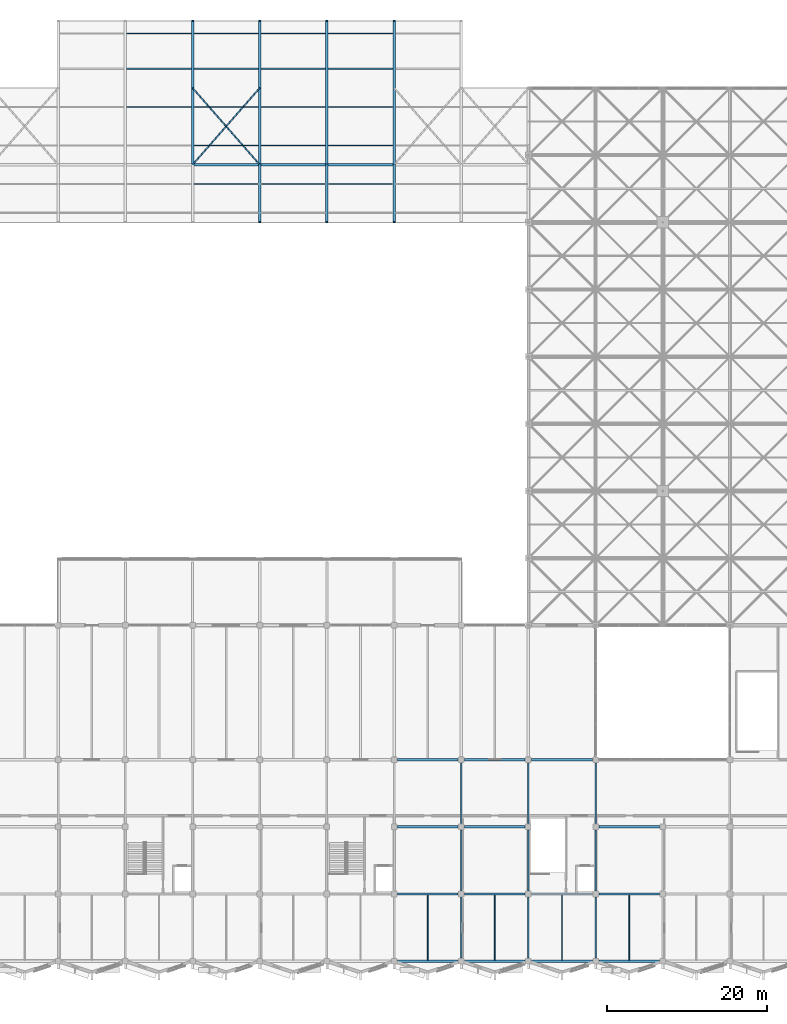
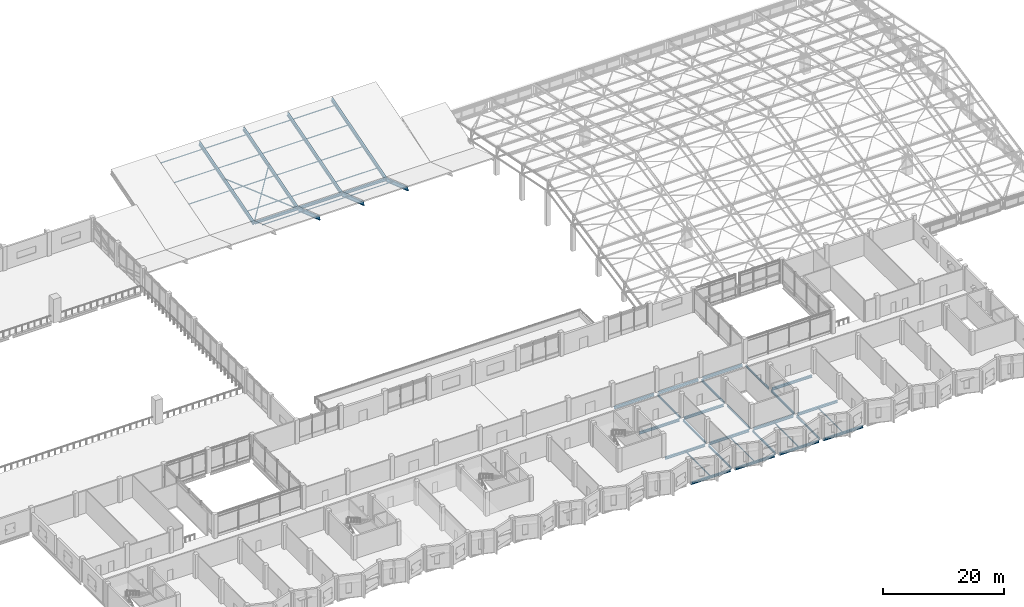
# One storey, part 17 of 110: 37 beams, 20 members.
"""IFC4 building model written with IfcOpenShell, lengths in metres."""

from ifc_helpers import new_model, si_unit, direction, frame, origin, origin_2d, place, context, subcontext, project, spatial, hollow_rectangle, i_section, extrude, material, material_profile, profile_set, type_object, element, save


model = new_model("IFC4")

# Units and contexts
model_context = context("Model", 3, precision=1e-05, world=origin(), true_north=direction((0.0, 1.0)))
body_context = subcontext(model_context, "Body", "Model", "MODEL_VIEW")
ifc_project = project(units=[si_unit("LENGTHUNIT", "METRE"), si_unit("AREAUNIT", "SQUARE_METRE"), si_unit("VOLUMEUNIT", "CUBIC_METRE"), si_unit("PLANEANGLEUNIT", "RADIAN"), si_unit("MASSUNIT", "GRAM", prefix="KILO")], contexts=[model_context])

# Site, building, storey
site_placement = place(None, origin())
site = spatial("IfcSite", under=ifc_project, at=site_placement, CompositionType="ELEMENT")
building_placement = place(site_placement, origin())
building = spatial("IfcBuilding", under=site, at=building_placement, Name="Qawsi Khor Wholesale Market", CompositionType="ELEMENT")
storey_placement = place(building_placement, frame((0.0, 0.0, 11.39990234375)))
storey = spatial("IfcBuildingStorey", under=building, at=storey_placement, Name="L02", CompositionType="ELEMENT", Elevation=11.39990234375)

# Members
ifc_material = material(Name="Steel S355", Category="steel")
ifc_material_profile_1 = material_profile(ifc_material, hollow_rectangle(XDim=0.179931640625, YDim=0.179931640625, WallThickness=0.010009765625, InnerFilletRadius=0.010009765625, OuterFilletRadius=0.02001953125, at=origin_2d()), Name="SHS 180x180x10.0")
ifc_profile_set_1 = profile_set([ifc_material_profile_1], Name="Steel S355")
member_type_1 = type_object("IfcMemberType", Name="Auction Roof Brace SHS 180x180x10.0", PredefinedType="BRACE", material=ifc_profile_set_1)
for number, where, z_axis, x_axis, name in (
    (1, (100.800048828125, 99.60009765625, 0.35009765625), (0.638715391749, 0.729957795703, 0.243319265234), (-0.752575509087, 0.658505962861, 0.0), "Auction roof brace 2A"),
    (2, (109.199951171875, 99.60009765625, 0.35009765625), (-0.638715391749, 0.729957795703, 0.243319265234), (-0.752575509087, -0.658505962861, 0.0), "Auction roof brace 2B"),
):
    element("IfcMember", number, at=place(storey_placement, frame(where, z_axis=z_axis, x_axis=x_axis)), inside=storey, type_object=member_type_1, Name=name, PredefinedType="BRACE", context=body_context, shape_type="SweptSolid", body=[
        extrude(hollow_rectangle(XDim=0.179931640625, YDim=0.179931640625, WallThickness=0.010009765625, InnerFilletRadius=0.010009765625, OuterFilletRadius=0.02001953125, at=origin_2d()), origin(), (0.0, 0.0, 1.0), 13.151123046875),
    ])
ifc_material_profile_2 = material_profile(ifc_material, hollow_rectangle(XDim=0.14990234375, YDim=0.14990234375, WallThickness=0.008056640625, InnerFilletRadius=0.008056640625, OuterFilletRadius=0.01611328125, at=origin_2d()), Name="SHS 150x150x8.0")
ifc_profile_set_2 = profile_set([ifc_material_profile_2], Name="Steel S355")
member_type_2 = type_object("IfcMemberType", Name="Auction Shed Purlin SHS 150x150x8.0", PredefinedType="PURLIN", material=ifc_profile_set_2)
for number, where, z_axis, x_axis, name in (
    (3, (92.550048828125, 106.800048828125, 2.77001953125), (1.0, 0.0, 0.0), (0.0, 1.0, 0.0), "Auction Roof Purlin 12-4"),
    (4, (92.550048828125, 111.60009765625, 4.183349609375), (1.0, 0.0, 0.0), (0.0, 1.0, 0.0), "Auction Roof Purlin 12-5"),
    (5, (92.550048828125, 116.0, 5.47900390625), (1.0, 0.0, 0.0), (0.0, 1.0, 0.0), "Auction Roof Purlin 12-6"),
):
    element("IfcMember", number, at=place(storey_placement, frame(where, z_axis=z_axis, x_axis=x_axis)), inside=storey, type_object=member_type_2, Name=name, PredefinedType="PURLIN", context=body_context, shape_type="SweptSolid", body=[
        extrude(hollow_rectangle(XDim=0.14990234375, YDim=0.14990234375, WallThickness=0.008056640625, InnerFilletRadius=0.008056640625, OuterFilletRadius=0.01611328125, at=origin_2d()), origin(), (0.0, 0.0, 1.0), 8.099853515625),
    ])
member_1_placement = place(storey_placement, frame((100.9619140625, 97.199951171875, 1.4833984375), z_axis=(1.0, 0.0, 0.0), x_axis=(0.0, 1.0, 0.0)))
element("IfcMember", 6, at=member_1_placement, inside=storey, type_object=member_type_2, Name="Auction Roof Purlin 13-2", PredefinedType="PURLIN", context=body_context, shape_type="SweptSolid", body=[
    extrude(hollow_rectangle(XDim=0.14990234375, YDim=0.14990234375, WallThickness=0.008056640625, InnerFilletRadius=0.008056640625, OuterFilletRadius=0.01611328125, at=origin_2d()), origin(), (0.0, 0.0, 1.0), 8.076171875),
])
for number, where, z_axis, x_axis, name in (
    (7, (100.949951171875, 102.0, 1.356689453125), (1.0, 0.0, 0.0), (0.0, 1.0, 0.0), "Auction Roof Purlin 13-3"),
    (8, (100.949951171875, 106.800048828125, 2.77001953125), (1.0, 0.0, 0.0), (0.0, 1.0, 0.0), "Auction Roof Purlin 13-4"),
    (9, (100.949951171875, 111.60009765625, 4.183349609375), (1.0, 0.0, 0.0), (0.0, 1.0, 0.0), "Auction Roof Purlin 13-5"),
    (10, (100.949951171875, 116.0, 5.47900390625), (1.0, 0.0, 0.0), (0.0, 1.0, 0.0), "Auction Roof Purlin 13-6"),
):
    element("IfcMember", number, at=place(storey_placement, frame(where, z_axis=z_axis, x_axis=x_axis)), inside=storey, type_object=member_type_2, Name=name, PredefinedType="PURLIN", context=body_context, shape_type="SweptSolid", body=[
        extrude(hollow_rectangle(XDim=0.14990234375, YDim=0.14990234375, WallThickness=0.008056640625, InnerFilletRadius=0.008056640625, OuterFilletRadius=0.01611328125, at=origin_2d()), origin(), (0.0, 0.0, 1.0), 8.10009765625),
    ])
member_2_placement = place(storey_placement, frame((109.362060546875, 97.199951171875, 1.4833984375), z_axis=(1.0, 0.0, 0.0), x_axis=(0.0, 1.0, 0.0)))
element("IfcMember", 11, at=member_2_placement, inside=storey, type_object=member_type_2, Name="Auction Roof Purlin 14-2", PredefinedType="PURLIN", context=body_context, shape_type="SweptSolid", body=[
    extrude(hollow_rectangle(XDim=0.14990234375, YDim=0.14990234375, WallThickness=0.008056640625, InnerFilletRadius=0.008056640625, OuterFilletRadius=0.01611328125, at=origin_2d()), origin(), (0.0, 0.0, 1.0), 8.075927734375),
])
for number, where, z_axis, x_axis, name in (
    (12, (109.35009765625, 102.0, 1.356689453125), (1.0, 0.0, 0.0), (0.0, 1.0, 0.0), "Auction Roof Purlin 14-3"),
    (13, (109.35009765625, 106.800048828125, 2.77001953125), (1.0, 0.0, 0.0), (0.0, 1.0, 0.0), "Auction Roof Purlin 14-4"),
    (14, (109.35009765625, 111.60009765625, 4.183349609375), (1.0, 0.0, 0.0), (0.0, 1.0, 0.0), "Auction Roof Purlin 14-5"),
    (15, (109.35009765625, 116.0, 5.47900390625), (1.0, 0.0, 0.0), (0.0, 1.0, 0.0), "Auction Roof Purlin 14-6"),
):
    element("IfcMember", number, at=place(storey_placement, frame(where, z_axis=z_axis, x_axis=x_axis)), inside=storey, type_object=member_type_2, Name=name, PredefinedType="PURLIN", context=body_context, shape_type="SweptSolid", body=[
        extrude(hollow_rectangle(XDim=0.14990234375, YDim=0.14990234375, WallThickness=0.008056640625, InnerFilletRadius=0.008056640625, OuterFilletRadius=0.01611328125, at=origin_2d()), origin(), (0.0, 0.0, 1.0), 8.099853515625),
    ])
member_3_placement = place(storey_placement, frame((117.761962890625, 97.199951171875, 1.4833984375), z_axis=(1.0, 0.0, 0.0), x_axis=(0.0, 1.0, 0.0)))
element("IfcMember", 16, at=member_3_placement, inside=storey, type_object=member_type_2, Name="Auction Roof Purlin 15-2", PredefinedType="PURLIN", context=body_context, shape_type="SweptSolid", body=[
    extrude(hollow_rectangle(XDim=0.14990234375, YDim=0.14990234375, WallThickness=0.008056640625, InnerFilletRadius=0.008056640625, OuterFilletRadius=0.01611328125, at=origin_2d()), origin(), (0.0, 0.0, 1.0), 8.075927734375),
])
for number, where, z_axis, x_axis, name in (
    (17, (117.75, 102.0, 1.356689453125), (1.0, 0.0, 0.0), (0.0, 1.0, 0.0), "Auction Roof Purlin 15-3"),
    (18, (117.75, 106.800048828125, 2.77001953125), (1.0, 0.0, 0.0), (0.0, 1.0, 0.0), "Auction Roof Purlin 15-4"),
    (19, (117.75, 111.60009765625, 4.183349609375), (1.0, 0.0, 0.0), (0.0, 1.0, 0.0), "Auction Roof Purlin 15-5"),
    (20, (117.75, 116.0, 5.47900390625), (1.0, 0.0, 0.0), (0.0, 1.0, 0.0), "Auction Roof Purlin 15-6"),
):
    element("IfcMember", number, at=place(storey_placement, frame(where, z_axis=z_axis, x_axis=x_axis)), inside=storey, type_object=member_type_2, Name=name, PredefinedType="PURLIN", context=body_context, shape_type="SweptSolid", body=[
        extrude(hollow_rectangle(XDim=0.14990234375, YDim=0.14990234375, WallThickness=0.008056640625, InnerFilletRadius=0.008056640625, OuterFilletRadius=0.01611328125, at=origin_2d()), origin(), (0.0, 0.0, 1.0), 8.10009765625),
    ])

# Beams
ifc_material_profile_3 = material_profile(ifc_material, i_section(OverallWidth=0.300048828125, OverallDepth=0.449951171875, WebThickness=0.013916015625, FlangeThickness=0.02587890625, FilletRadius=0.027099609375, at=origin_2d()), Name="HEB 450")
ifc_profile_set_3 = profile_set([ifc_material_profile_3], Name="Steel S355")
beam_type_1 = type_object("IfcBeamType", Name="Heavy Edge Girder HEB 450", PredefinedType="BEAM", material=ifc_profile_set_3)
beam_1_placement = place(storey_placement, frame((126.39990234375, 0.0, -0.5048828125), z_axis=(1.0, 0.0, 0.0), x_axis=(0.0, 1.0, 0.0)))
element("IfcBeam", 21, at=beam_1_placement, inside=storey, type_object=beam_type_1, Name="BM-X-L02-15_+00", PredefinedType="BEAM", context=body_context, shape_type="SweptSolid", body=[
    extrude(i_section(OverallWidth=0.300048828125, OverallDepth=0.449951171875, WebThickness=0.013916015625, FlangeThickness=0.02587890625, FilletRadius=0.027099609375, at=origin_2d()), origin(), (0.0, 0.0, 1.0), 7.60009765625),
])
beam_2_placement = place(storey_placement, frame((134.800048828125, 0.0, -0.5048828125), z_axis=(1.0, 0.0, 0.0), x_axis=(0.0, 1.0, 0.0)))
element("IfcBeam", 22, at=beam_2_placement, inside=storey, type_object=beam_type_1, Name="BM-X-L02-16_+00", PredefinedType="BEAM", context=body_context, shape_type="SweptSolid", body=[
    extrude(i_section(OverallWidth=0.300048828125, OverallDepth=0.449951171875, WebThickness=0.013916015625, FlangeThickness=0.02587890625, FilletRadius=0.027099609375, at=origin_2d()), origin(), (0.0, 0.0, 1.0), 7.599853515625),
])
beam_3_placement = place(storey_placement, frame((143.199951171875, 0.0, -0.5048828125), z_axis=(1.0, 0.0, 0.0), x_axis=(0.0, 1.0, 0.0)))
element("IfcBeam", 23, at=beam_3_placement, inside=storey, type_object=beam_type_1, Name="BM-X-L02-17_+00", PredefinedType="BEAM", context=body_context, shape_type="SweptSolid", body=[
    extrude(i_section(OverallWidth=0.300048828125, OverallDepth=0.449951171875, WebThickness=0.013916015625, FlangeThickness=0.02587890625, FilletRadius=0.027099609375, at=origin_2d()), origin(), (0.0, 0.0, 1.0), 7.60009765625),
])
beam_4_placement = place(storey_placement, frame((151.60009765625, 0.0, -0.5048828125), z_axis=(1.0, 0.0, 0.0), x_axis=(0.0, 1.0, 0.0)))
element("IfcBeam", 24, at=beam_4_placement, inside=storey, type_object=beam_type_1, Name="BM-X-L02-18_+00", PredefinedType="BEAM", context=body_context, shape_type="SweptSolid", body=[
    extrude(i_section(OverallWidth=0.300048828125, OverallDepth=0.449951171875, WebThickness=0.013916015625, FlangeThickness=0.02587890625, FilletRadius=0.027099609375, at=origin_2d()), origin(), (0.0, 0.0, 1.0), 7.599853515625),
])
ifc_material_profile_4 = material_profile(ifc_material, i_section(OverallWidth=0.300048828125, OverallDepth=0.5, WebThickness=0.014404296875, FlangeThickness=0.028076171875, FilletRadius=0.027099609375, at=origin_2d()), Name="HEB 500")
ifc_profile_set_4 = profile_set([ifc_material_profile_4], Name="Steel S355")
beam_type_2 = type_object("IfcBeamType", Name="Heavy Edge Girder HEB 500", PredefinedType="BEAM", material=ifc_profile_set_4)
beam_5_placement = place(storey_placement, frame((100.949951171875, 99.60009765625, 0.4501953125), z_axis=(1.0, 0.0, 0.0), x_axis=(0.0, 1.0, 0.0)))
element("IfcBeam", 25, at=beam_5_placement, inside=storey, type_object=beam_type_2, Name="Auction Butterfly Valley Girder 13", PredefinedType="BEAM", context=body_context, shape_type="SweptSolid", body=[
    extrude(i_section(OverallWidth=0.300048828125, OverallDepth=0.5, WebThickness=0.014404296875, FlangeThickness=0.028076171875, FilletRadius=0.027099609375, at=origin_2d()), origin(), (0.0, 0.0, 1.0), 8.10009765625),
])
beam_6_placement = place(storey_placement, frame((109.35009765625, 99.60009765625, 0.4501953125), z_axis=(1.0, 0.0, 0.0), x_axis=(0.0, 1.0, 0.0)))
element("IfcBeam", 26, at=beam_6_placement, inside=storey, type_object=beam_type_2, Name="Auction Butterfly Valley Girder 14", PredefinedType="BEAM", context=body_context, shape_type="SweptSolid", body=[
    extrude(i_section(OverallWidth=0.300048828125, OverallDepth=0.5, WebThickness=0.014404296875, FlangeThickness=0.028076171875, FilletRadius=0.027099609375, at=origin_2d()), origin(), (0.0, 0.0, 1.0), 8.099853515625),
])
beam_7_placement = place(storey_placement, frame((117.75, 99.60009765625, 0.4501953125), z_axis=(1.0, 0.0, 0.0), x_axis=(0.0, 1.0, 0.0)))
element("IfcBeam", 27, at=beam_7_placement, inside=storey, type_object=beam_type_2, Name="Auction Butterfly Valley Girder 15", PredefinedType="BEAM", context=body_context, shape_type="SweptSolid", body=[
    extrude(i_section(OverallWidth=0.300048828125, OverallDepth=0.5, WebThickness=0.014404296875, FlangeThickness=0.028076171875, FilletRadius=0.027099609375, at=origin_2d()), origin(), (0.0, 0.0, 1.0), 8.10009765625),
])
ifc_material_profile_5 = material_profile(ifc_material, i_section(OverallWidth=0.300048828125, OverallDepth=0.489990234375, WebThickness=0.011962890625, FlangeThickness=0.02294921875, FilletRadius=0.027099609375, at=origin_2d()), Name="HEA 500")
ifc_profile_set_5 = profile_set([ifc_material_profile_5], Name="Steel S355")
beam_type_3 = type_object("IfcBeamType", Name="Primary Girder HEA 500", PredefinedType="BEAM", material=ifc_profile_set_5)
for number, where, z_axis, x_axis, name in (
    (28, (126.39990234375, 8.39990234375, -0.52490234375), (1.0, 0.0, 0.0), (0.0, 1.0, 0.0), "BM-X-L02-15_+01"),
    (29, (126.39990234375, 16.800048828125, -0.52490234375), (1.0, 0.0, 0.0), (0.0, 1.0, 0.0), "BM-X-L02-15_+02"),
    (30, (126.39990234375, 25.199951171875, -0.52490234375), (1.0, 0.0, 0.0), (0.0, 1.0, 0.0), "BM-X-L02-15_+03"),
):
    element("IfcBeam", number, at=place(storey_placement, frame(where, z_axis=z_axis, x_axis=x_axis)), inside=storey, type_object=beam_type_3, Name=name, PredefinedType="BEAM", context=body_context, shape_type="SweptSolid", body=[
        extrude(i_section(OverallWidth=0.300048828125, OverallDepth=0.489990234375, WebThickness=0.011962890625, FlangeThickness=0.02294921875, FilletRadius=0.027099609375, at=origin_2d()), origin(), (0.0, 0.0, 1.0), 7.60009765625),
    ])
for number, where, z_axis, x_axis, name in (
    (31, (134.800048828125, 8.39990234375, -0.52490234375), (1.0, 0.0, 0.0), (0.0, 1.0, 0.0), "BM-X-L02-16_+01"),
    (32, (134.800048828125, 16.800048828125, -0.52490234375), (1.0, 0.0, 0.0), (0.0, 1.0, 0.0), "BM-X-L02-16_+02"),
    (33, (134.800048828125, 25.199951171875, -0.52490234375), (1.0, 0.0, 0.0), (0.0, 1.0, 0.0), "BM-X-L02-16_+03"),
):
    element("IfcBeam", number, at=place(storey_placement, frame(where, z_axis=z_axis, x_axis=x_axis)), inside=storey, type_object=beam_type_3, Name=name, PredefinedType="BEAM", context=body_context, shape_type="SweptSolid", body=[
        extrude(i_section(OverallWidth=0.300048828125, OverallDepth=0.489990234375, WebThickness=0.011962890625, FlangeThickness=0.02294921875, FilletRadius=0.027099609375, at=origin_2d()), origin(), (0.0, 0.0, 1.0), 7.599853515625),
    ])
for number, where, z_axis, x_axis, name in (
    (34, (143.199951171875, 8.39990234375, -0.52490234375), (1.0, 0.0, 0.0), (0.0, 1.0, 0.0), "BM-X-L02-17_+01"),
    (35, (143.199951171875, 25.199951171875, -0.52490234375), (1.0, 0.0, 0.0), (0.0, 1.0, 0.0), "BM-X-L02-17_+03"),
):
    element("IfcBeam", number, at=place(storey_placement, frame(where, z_axis=z_axis, x_axis=x_axis)), inside=storey, type_object=beam_type_3, Name=name, PredefinedType="BEAM", context=body_context, shape_type="SweptSolid", body=[
        extrude(i_section(OverallWidth=0.300048828125, OverallDepth=0.489990234375, WebThickness=0.011962890625, FlangeThickness=0.02294921875, FilletRadius=0.027099609375, at=origin_2d()), origin(), (0.0, 0.0, 1.0), 7.60009765625),
    ])
for number, where, z_axis, x_axis, name in (
    (36, (151.60009765625, 8.39990234375, -0.52490234375), (1.0, 0.0, 0.0), (0.0, 1.0, 0.0), "BM-X-L02-18_+01"),
    (37, (151.60009765625, 16.800048828125, -0.52490234375), (1.0, 0.0, 0.0), (0.0, 1.0, 0.0), "BM-X-L02-18_+02"),
):
    element("IfcBeam", number, at=place(storey_placement, frame(where, z_axis=z_axis, x_axis=x_axis)), inside=storey, type_object=beam_type_3, Name=name, PredefinedType="BEAM", context=body_context, shape_type="SweptSolid", body=[
        extrude(i_section(OverallWidth=0.300048828125, OverallDepth=0.489990234375, WebThickness=0.011962890625, FlangeThickness=0.02294921875, FilletRadius=0.027099609375, at=origin_2d()), origin(), (0.0, 0.0, 1.0), 7.599853515625),
    ])
ifc_material_profile_6 = material_profile(ifc_material, i_section(OverallWidth=0.300048828125, OverallDepth=0.68994140625, WebThickness=0.014404296875, FlangeThickness=0.027099609375, FilletRadius=0.027099609375, at=origin_2d()), Name="HEA 700")
ifc_profile_set_6 = profile_set([ifc_material_profile_6], Name="Steel S355")
beam_type_4 = type_object("IfcBeamType", Name="Primary Girder HEA 700", PredefinedType="BEAM", material=ifc_profile_set_6)
beam_8_placement = place(storey_placement, frame((100.800048828125, 99.60009765625, 0.35009765625), z_axis=(0.0, 0.959279891053, 0.282457236801), x_axis=(-1.0, 0.0, 0.0)))
element("IfcBeam", 38, at=beam_8_placement, inside=storey, type_object=beam_type_4, Name="Auction Butterfly Rafter North Grid 13", PredefinedType="BEAM", context=body_context, shape_type="SweptSolid", body=[
    extrude(i_section(OverallWidth=0.300048828125, OverallDepth=0.68994140625, WebThickness=0.014404296875, FlangeThickness=0.027099609375, FilletRadius=0.027099609375, at=origin_2d()), origin(), (0.0, 0.0, 1.0), 18.76416015625),
])
beam_9_placement = place(storey_placement, frame((109.199951171875, 92.39990234375, 2.85009765625), z_axis=(0.0, 0.944676421269, -0.328003748603), x_axis=(-1.0, 0.0, 0.0)))
element("IfcBeam", 39, at=beam_9_placement, inside=storey, type_object=beam_type_4, Name="Auction Butterfly Rafter South Grid 14", PredefinedType="BEAM", context=body_context, shape_type="SweptSolid", body=[
    extrude(i_section(OverallWidth=0.300048828125, OverallDepth=0.68994140625, WebThickness=0.014404296875, FlangeThickness=0.027099609375, FilletRadius=0.027099609375, at=origin_2d()), origin(), (0.0, 0.0, 1.0), 7.621826171875),
])
beam_10_placement = place(storey_placement, frame((109.199951171875, 99.60009765625, 0.35009765625), z_axis=(0.0, 0.959279891053, 0.282457236801), x_axis=(-1.0, 0.0, 0.0)))
element("IfcBeam", 40, at=beam_10_placement, inside=storey, type_object=beam_type_4, Name="Auction Butterfly Rafter North Grid 14", PredefinedType="BEAM", context=body_context, shape_type="SweptSolid", body=[
    extrude(i_section(OverallWidth=0.300048828125, OverallDepth=0.68994140625, WebThickness=0.014404296875, FlangeThickness=0.027099609375, FilletRadius=0.027099609375, at=origin_2d()), origin(), (0.0, 0.0, 1.0), 18.76416015625),
])
beam_11_placement = place(storey_placement, frame((117.60009765625, 92.39990234375, 2.85009765625), z_axis=(0.0, 0.944676421269, -0.328003748603), x_axis=(-1.0, 0.0, 0.0)))
element("IfcBeam", 41, at=beam_11_placement, inside=storey, type_object=beam_type_4, Name="Auction Butterfly Rafter South Grid 15", PredefinedType="BEAM", context=body_context, shape_type="SweptSolid", body=[
    extrude(i_section(OverallWidth=0.300048828125, OverallDepth=0.68994140625, WebThickness=0.014404296875, FlangeThickness=0.027099609375, FilletRadius=0.027099609375, at=origin_2d()), origin(), (0.0, 0.0, 1.0), 7.621826171875),
])
beam_12_placement = place(storey_placement, frame((117.60009765625, 99.60009765625, 0.35009765625), z_axis=(0.0, 0.959279891053, 0.282457236801), x_axis=(-1.0, 0.0, 0.0)))
element("IfcBeam", 42, at=beam_12_placement, inside=storey, type_object=beam_type_4, Name="Auction Butterfly Rafter North Grid 15", PredefinedType="BEAM", context=body_context, shape_type="SweptSolid", body=[
    extrude(i_section(OverallWidth=0.300048828125, OverallDepth=0.68994140625, WebThickness=0.014404296875, FlangeThickness=0.027099609375, FilletRadius=0.027099609375, at=origin_2d()), origin(), (0.0, 0.0, 1.0), 18.76416015625),
])
beam_13_placement = place(storey_placement, frame((126.0, 92.39990234375, 2.85009765625), z_axis=(0.0, 0.944676421269, -0.328003748603), x_axis=(-1.0, 0.0, 0.0)))
element("IfcBeam", 43, at=beam_13_placement, inside=storey, type_object=beam_type_4, Name="Auction Butterfly Rafter South Grid 16", PredefinedType="BEAM", context=body_context, shape_type="SweptSolid", body=[
    extrude(i_section(OverallWidth=0.300048828125, OverallDepth=0.68994140625, WebThickness=0.014404296875, FlangeThickness=0.027099609375, FilletRadius=0.027099609375, at=origin_2d()), origin(), (0.0, 0.0, 1.0), 7.621826171875),
])
beam_14_placement = place(storey_placement, frame((126.0, 99.60009765625, 0.35009765625), z_axis=(0.0, 0.959279891053, 0.282457236801), x_axis=(-1.0, 0.0, 0.0)))
element("IfcBeam", 44, at=beam_14_placement, inside=storey, type_object=beam_type_4, Name="Auction Butterfly Rafter North Grid 16", PredefinedType="BEAM", context=body_context, shape_type="SweptSolid", body=[
    extrude(i_section(OverallWidth=0.300048828125, OverallDepth=0.68994140625, WebThickness=0.014404296875, FlangeThickness=0.027099609375, FilletRadius=0.027099609375, at=origin_2d()), origin(), (0.0, 0.0, 1.0), 18.76416015625),
])
ifc_material_profile_7 = material_profile(ifc_material, i_section(OverallWidth=0.179931640625, OverallDepth=0.39990234375, WebThickness=0.008544921875, FlangeThickness=0.013427734375, FilletRadius=0.02099609375, at=origin_2d()), Name="IPE 400")
ifc_profile_set_7 = profile_set([ifc_material_profile_7], Name="Steel S355")
beam_type_5 = type_object("IfcBeamType", Name="Secondary Beam IPE 400", PredefinedType="BEAM", material=ifc_profile_set_7)
beam_15_placement = place(storey_placement, frame((134.39990234375, 0.39990234375, -0.47998046875), z_axis=(0.0, 1.0, 0.0), x_axis=(-1.0, 0.0, 0.0)))
element("IfcBeam", 45, at=beam_15_placement, inside=storey, type_object=beam_type_5, Name="BM-Y-L02-16_+00", PredefinedType="BEAM", context=body_context, shape_type="SweptSolid", body=[
    extrude(i_section(OverallWidth=0.179931640625, OverallDepth=0.39990234375, WebThickness=0.008544921875, FlangeThickness=0.013427734375, FilletRadius=0.02099609375, at=origin_2d()), origin(), (0.0, 0.0, 1.0), 7.60009765625),
])
beam_16_placement = place(storey_placement, frame((134.39990234375, 8.800048828125, -0.47998046875), z_axis=(0.0, 1.0, 0.0), x_axis=(-1.0, 0.0, 0.0)))
element("IfcBeam", 46, at=beam_16_placement, inside=storey, type_object=beam_type_5, Name="BM-Y-L02-16_+01", PredefinedType="BEAM", context=body_context, shape_type="SweptSolid", body=[
    extrude(i_section(OverallWidth=0.179931640625, OverallDepth=0.39990234375, WebThickness=0.008544921875, FlangeThickness=0.013427734375, FilletRadius=0.02099609375, at=origin_2d()), origin(), (0.0, 0.0, 1.0), 7.599853515625),
])
for number, where, z_axis, x_axis, name in (
    (47, (134.39990234375, 17.199951171875, -0.47998046875), (0.0, 1.0, 0.0), (-1.0, 0.0, 0.0), "BM-Y-L02-16_+02"),
    (48, (142.800048828125, 0.39990234375, -0.47998046875), (0.0, 1.0, 0.0), (-1.0, 0.0, 0.0), "BM-Y-L02-17_+00"),
):
    element("IfcBeam", number, at=place(storey_placement, frame(where, z_axis=z_axis, x_axis=x_axis)), inside=storey, type_object=beam_type_5, Name=name, PredefinedType="BEAM", context=body_context, shape_type="SweptSolid", body=[
        extrude(i_section(OverallWidth=0.179931640625, OverallDepth=0.39990234375, WebThickness=0.008544921875, FlangeThickness=0.013427734375, FilletRadius=0.02099609375, at=origin_2d()), origin(), (0.0, 0.0, 1.0), 7.60009765625),
    ])
beam_17_placement = place(storey_placement, frame((142.800048828125, 8.800048828125, -0.47998046875), z_axis=(0.0, 1.0, 0.0), x_axis=(-1.0, 0.0, 0.0)))
element("IfcBeam", 49, at=beam_17_placement, inside=storey, type_object=beam_type_5, Name="BM-Y-L02-17_+01", PredefinedType="BEAM", context=body_context, shape_type="SweptSolid", body=[
    extrude(i_section(OverallWidth=0.179931640625, OverallDepth=0.39990234375, WebThickness=0.008544921875, FlangeThickness=0.013427734375, FilletRadius=0.02099609375, at=origin_2d()), origin(), (0.0, 0.0, 1.0), 7.599853515625),
])
for number, where, z_axis, x_axis, name in (
    (50, (142.800048828125, 17.199951171875, -0.47998046875), (0.0, 1.0, 0.0), (-1.0, 0.0, 0.0), "BM-Y-L02-17_+02"),
    (51, (151.199951171875, 0.39990234375, -0.47998046875), (0.0, 1.0, 0.0), (-1.0, 0.0, 0.0), "BM-Y-L02-18_+00"),
):
    element("IfcBeam", number, at=place(storey_placement, frame(where, z_axis=z_axis, x_axis=x_axis)), inside=storey, type_object=beam_type_5, Name=name, PredefinedType="BEAM", context=body_context, shape_type="SweptSolid", body=[
        extrude(i_section(OverallWidth=0.179931640625, OverallDepth=0.39990234375, WebThickness=0.008544921875, FlangeThickness=0.013427734375, FilletRadius=0.02099609375, at=origin_2d()), origin(), (0.0, 0.0, 1.0), 7.60009765625),
    ])
beam_18_placement = place(storey_placement, frame((151.199951171875, 8.800048828125, -0.47998046875), z_axis=(0.0, 1.0, 0.0), x_axis=(-1.0, 0.0, 0.0)))
element("IfcBeam", 52, at=beam_18_placement, inside=storey, type_object=beam_type_5, Name="BM-Y-L02-18_+01", PredefinedType="BEAM", context=body_context, shape_type="SweptSolid", body=[
    extrude(i_section(OverallWidth=0.179931640625, OverallDepth=0.39990234375, WebThickness=0.008544921875, FlangeThickness=0.013427734375, FilletRadius=0.02099609375, at=origin_2d()), origin(), (0.0, 0.0, 1.0), 7.599853515625),
])
beam_19_placement = place(storey_placement, frame((151.199951171875, 17.199951171875, -0.47998046875), z_axis=(0.0, 1.0, 0.0), x_axis=(-1.0, 0.0, 0.0)))
element("IfcBeam", 53, at=beam_19_placement, inside=storey, type_object=beam_type_5, Name="BM-Y-L02-18_+02", PredefinedType="BEAM", context=body_context, shape_type="SweptSolid", body=[
    extrude(i_section(OverallWidth=0.179931640625, OverallDepth=0.39990234375, WebThickness=0.008544921875, FlangeThickness=0.013427734375, FilletRadius=0.02099609375, at=origin_2d()), origin(), (0.0, 0.0, 1.0), 7.60009765625),
])
ifc_material_profile_8 = material_profile(ifc_material, i_section(OverallWidth=0.110107421875, OverallDepth=0.219970703125, WebThickness=0.005859375, FlangeThickness=0.00927734375, FilletRadius=0.011962890625, at=origin_2d()), Name="IPE 220")
ifc_profile_set_8 = profile_set([ifc_material_profile_8], Name="Steel S355")
beam_type_6 = type_object("IfcBeamType", Name="Terrace Joist IPE 220", PredefinedType="JOIST", material=ifc_profile_set_8)
for number, where, z_axis, x_axis, name in (
    (54, (130.199951171875, 0.14990234375, -0.389892578125), (0.0, 1.0, 0.0), (-1.0, 0.0, 0.0), "JST-S-L02-15"),
    (55, (138.60009765625, 0.14990234375, -0.389892578125), (0.0, 1.0, 0.0), (-1.0, 0.0, 0.0), "JST-S-L02-16"),
    (56, (147.0, 0.14990234375, -0.389892578125), (0.0, 1.0, 0.0), (-1.0, 0.0, 0.0), "JST-S-L02-17"),
    (57, (155.39990234375, 0.14990234375, -0.389892578125), (0.0, 1.0, 0.0), (-1.0, 0.0, 0.0), "JST-S-L02-18"),
):
    element("IfcBeam", number, at=place(storey_placement, frame(where, z_axis=z_axis, x_axis=x_axis)), inside=storey, type_object=beam_type_6, Name=name, PredefinedType="JOIST", context=body_context, shape_type="SweptSolid", body=[
        extrude(i_section(OverallWidth=0.110107421875, OverallDepth=0.219970703125, WebThickness=0.005859375, FlangeThickness=0.00927734375, FilletRadius=0.011962890625, at=origin_2d()), origin(), (0.0, 0.0, 1.0), 8.10009765625),
    ])

save(model, "model.ifc")
